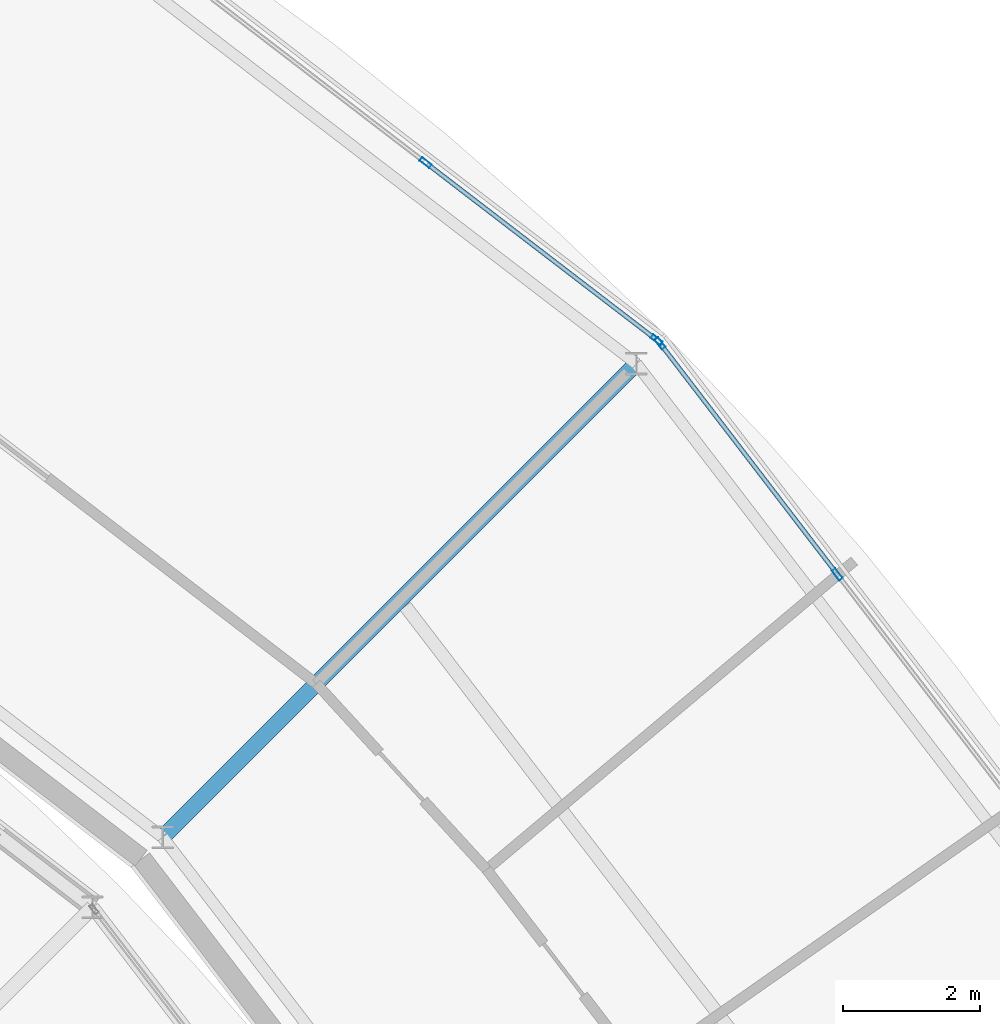
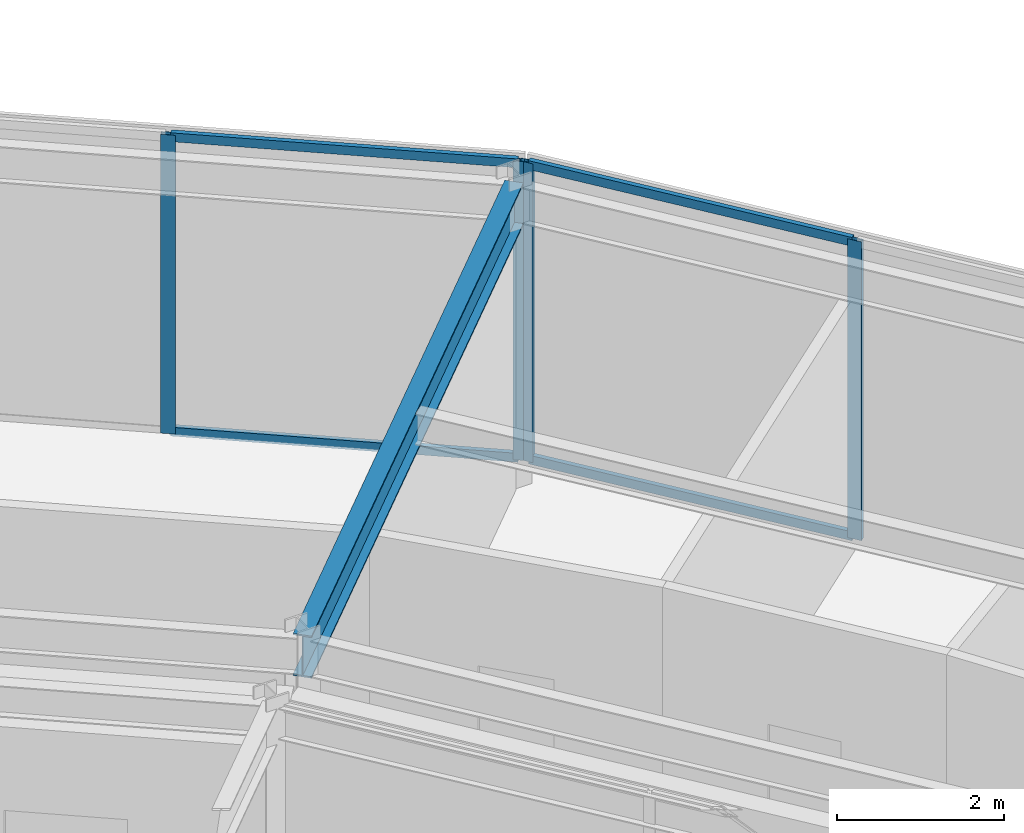
# One storey, part 75 of 133: 8 members, 1 beam, 2 elements without a shape of their own.
"""IFC4 building model written with IfcOpenShell, lengths in metres."""

import ifcopenshell
import ifcopenshell.guid

model = None  # the IFC model being written
_history = None  # IfcOwnerHistory: only IFC2X3 demands one
_inside = {}  # id of a spatial element -> (the spatial element, [elements in it])
_under = {}  # id of a project, library or spatial element -> (it, [spatial elements below it])
_declared = {}  # id of a project -> (the project, [libraries it declares])
_typed = {}  # id of a type object -> (the type object, [elements of that type])
_made_of = {}  # id of a material, layer set ... -> (it, [elements and type objects made of it])


def new_model(schema):
    """Start an empty IFC model of exactly this schema.

    Asked for "IFC4X3", IfcOpenShell would pick the latest addendum, in which some entities
    have other attributes; the version numbers below select the first issue.
    IFC2X3 requires an IfcOwnerHistory on every rooted entity: one is made here for all.
    """
    global model, _history
    if schema == "IFC4X3":
        model = ifcopenshell.file(schema_version=(4, 3, 0, 0))
    else:
        model = ifcopenshell.file(schema=schema)
    _inside.clear()
    _under.clear()
    _declared.clear()
    _typed.clear()
    _made_of.clear()
    _history = None
    if model.schema == "IFC2X3":
        org = make("IfcOrganization", Name="unknown")
        user = make(
            "IfcPersonAndOrganization",
            ThePerson=make("IfcPerson", FamilyName="unknown"),
            TheOrganization=org,
        )
        app = make(
            "IfcApplication",
            ApplicationDeveloper=org,
            Version="unknown",
            ApplicationFullName="unknown",
            ApplicationIdentifier="unknown",
        )
        _history = make(
            "IfcOwnerHistory",
            OwningUser=user,
            OwningApplication=app,
            ChangeAction="ADDED",
            CreationDate=0,
        )
    return model


def make(cls, **values):
    """One entity of the class cls with the attributes given. An attribute that is None is left unset."""
    return model.create_entity(
        cls, **{name: value for name, value in values.items() if value is not None}
    )


def rooted(cls, **values):
    """An entity with a GlobalId (a new one), such as an element, a storey or a relation."""
    return make(cls, GlobalId=ifcopenshell.guid.new(), OwnerHistory=_history, **values)


def si_unit(unit_type, name, prefix=None):
    """IfcSIUnit, for example si_unit("LENGTHUNIT", "METRE", prefix="MILLI")."""
    return make("IfcSIUnit", UnitType=unit_type, Prefix=prefix, Name=name)


def assignment(units):
    """IfcUnitAssignment: the units of a project."""
    return None if units is None else make("IfcUnitAssignment", Units=units)


def point(xyz):
    """IfcCartesianPoint."""
    return None if xyz is None else make("IfcCartesianPoint", Coordinates=xyz)


def direction(xyz):
    """IfcDirection."""
    return None if xyz is None else make("IfcDirection", DirectionRatios=xyz)


def frame(location, z_axis=None, x_axis=None):
    """IfcAxis2Placement3D, a coordinate frame: its origin and axes. An axis left out is left unset."""
    return make(
        "IfcAxis2Placement3D",
        Location=point(location),
        Axis=direction(z_axis),
        RefDirection=direction(x_axis),
    )


def frame_2d(location, x_axis=None):
    """IfcAxis2Placement2D, a coordinate frame in the plane: its origin and x axis."""
    return make(
        "IfcAxis2Placement2D", Location=point(location), RefDirection=direction(x_axis)
    )


def origin():
    """The frame at (0, 0, 0) with its axes left unset."""
    return frame((0.0, 0.0, 0.0))


def origin_2d():
    """The frame at (0, 0) in the plane with its x axis left unset."""
    return frame_2d((0.0, 0.0))


def place(relative_to, where):
    """IfcLocalPlacement: puts the frame where relative to a parent placement (None: the world)."""
    return make(
        "IfcLocalPlacement", PlacementRelTo=relative_to, RelativePlacement=where
    )


def context(
    kind, dimensions, precision=None, world=None, true_north=None, identifier=None
):
    """IfcGeometricRepresentationContext, for example the 3D "Model" context."""
    return make(
        "IfcGeometricRepresentationContext",
        ContextIdentifier=identifier,
        ContextType=kind,
        CoordinateSpaceDimension=dimensions,
        Precision=precision,
        WorldCoordinateSystem=world,
        TrueNorth=true_north,
    )


def subcontext(parent, identifier, kind, view, scale=None):
    """IfcGeometricRepresentationSubContext, for example "Body" below "Model"."""
    return make(
        "IfcGeometricRepresentationSubContext",
        ContextIdentifier=identifier,
        ContextType=kind,
        ParentContext=parent,
        TargetScale=scale,
        TargetView=view,
    )


def project(units=None, contexts=None):
    """IfcProject with its units and contexts."""
    return rooted(
        "IfcProject",
        Name="project",
        RepresentationContexts=contexts,
        UnitsInContext=assignment(units),
    )


def spatial(cls, under=None, at=None, **own):
    """A site, building, storey or space (cls), placed at a placement, below another one or the project."""
    s = rooted(cls, ObjectPlacement=at, **own)
    if under is not None:
        _under.setdefault(under.id(), (under, []))[1].append(s)
    return s


def profile(cls, at=None, kind="AREA", **sizes):
    """A parametric profile (cls). Its sizes go by their IFC names, for example OverallWidth=200.0."""
    return make(cls, ProfileType=kind, Position=at, **sizes)


def hollow_rectangle(**sizes):
    """IfcRectangleHollowProfileDef."""
    return profile("IfcRectangleHollowProfileDef", **sizes)


def i_section(**sizes):
    """IfcIShapeProfileDef."""
    return profile("IfcIShapeProfileDef", **sizes)


def extrude(swept, where, along, depth):
    """IfcExtrudedAreaSolid: the profile swept, set in the frame where, extruded along a direction by depth."""
    return make(
        "IfcExtrudedAreaSolid",
        SweptArea=swept,
        Position=where,
        ExtrudedDirection=direction(along),
        Depth=depth,
    )


def shape(context_of_items, identifier, shape_type, items):
    """IfcShapeRepresentation: the items that make up one representation, for example the "Body"."""
    return make(
        "IfcShapeRepresentation",
        ContextOfItems=context_of_items,
        RepresentationIdentifier=identifier,
        RepresentationType=shape_type,
        Items=items,
    )


def material(Name=None, Category=None):
    """IfcMaterial."""
    return make("IfcMaterial", Name=Name, Category=Category)


def material_profile(
    of_material, cross_section, Name=None, Category=None, Priority=None
):
    """IfcMaterialProfile: a cross section and its material."""
    return make(
        "IfcMaterialProfile",
        Name=Name,
        Material=of_material,
        Profile=cross_section,
        Priority=Priority,
        Category=Category,
    )


def profile_set(profiles, Name=None, composite=None):
    """IfcMaterialProfileSet."""
    return make(
        "IfcMaterialProfileSet",
        Name=Name,
        MaterialProfiles=profiles,
        CompositeProfile=composite,
    )


def made_of(thing, what):
    """Note that an element or type object is made of a material, layer set ...; save() writes the relation."""
    if what is not None:
        _made_of.setdefault(what.id(), (what, []))[1].append(thing)
    return thing


def type_object(cls, material=None, **own):
    """A type object (cls), such as IfcWallType, which elements share."""
    return made_of(rooted(cls, **own), material)


def element(
    cls,
    number,
    at=None,
    inside=None,
    cuts=None,
    type_object=None,
    material=None,
    context=None,
    identifier="Body",
    shape_type=None,
    held_by="IfcProductDefinitionShape",
    body=None,
    shapes=None,
    **own,
):
    """One element of the class cls, such as IfcWall. Its Tag is "e" and its number.

    at: its placement. inside: the storey or other place that contains it. cuts: it is an
    opening in that element (IfcRelVoidsElement). A single representation is given by context,
    identifier, shape_type and body (its items); several are given by shapes. held_by: the class
    of the entity that holds the representations. save() writes the other relations.
    """
    e = rooted(cls, Tag="e%d" % number, ObjectPlacement=at, **own)
    if body is not None:
        shapes = [shape(context, identifier, shape_type, body)]
    if shapes is not None:
        e.Representation = make(held_by, Representations=shapes)
    if inside is not None:
        _inside.setdefault(inside.id(), (inside, []))[1].append(e)
    if cuts is not None:
        rooted(
            "IfcRelVoidsElement", RelatingBuildingElement=cuts, RelatedOpeningElement=e
        )
    if type_object is not None:
        _typed.setdefault(type_object.id(), (type_object, []))[1].append(e)
    return made_of(e, material)


def aggregate(whole, parts):
    """IfcRelAggregates: a whole, such as a stair, and the parts it consists of."""
    return rooted("IfcRelAggregates", RelatingObject=whole, RelatedObjects=parts)


def save(model, path):
    """Write the relations noted so far, then the file.

    IfcRelAggregates (storeys below a building ...), IfcRelContainedInSpatialStructure (elements
    in a storey), IfcRelDefinesByType, IfcRelAssociatesMaterial and IfcRelDeclares: one each for
    every whole, place, type object, material and project.
    """
    for whole, parts in _under.values():
        aggregate(whole, parts)
    for where, things in _inside.values():
        rooted(
            "IfcRelContainedInSpatialStructure",
            RelatedElements=things,
            RelatingStructure=where,
        )
    for kind, things in _typed.values():
        rooted("IfcRelDefinesByType", RelatedObjects=things, RelatingType=kind)
    for what, things in _made_of.values():
        rooted("IfcRelAssociatesMaterial", RelatedObjects=things, RelatingMaterial=what)
    for by, libraries in _declared.values():
        rooted("IfcRelDeclares", RelatingContext=by, RelatedDefinitions=libraries)
    model.write(path)


model = new_model("IFC4")

# Units and contexts
model_context = context("Model", 3, precision=1e-05, world=origin(), true_north=direction((0.0, 1.0)))
body_context = subcontext(model_context, "Body", "Model", "MODEL_VIEW")
ifc_project = project(units=[si_unit("LENGTHUNIT", "METRE"), si_unit("AREAUNIT", "SQUARE_METRE"), si_unit("VOLUMEUNIT", "CUBIC_METRE"), si_unit("PLANEANGLEUNIT", "RADIAN"), si_unit("MASSUNIT", "GRAM", prefix="KILO")], contexts=[model_context])

# Site, building, storey
site_placement = place(None, origin())
site = spatial("IfcSite", under=ifc_project, at=site_placement, CompositionType="ELEMENT")
building_placement = place(site_placement, origin())
building = spatial("IfcBuilding", under=site, at=building_placement, Name="Almandine Court Research Institute", CompositionType="ELEMENT")
storey_placement = place(building_placement, frame((0.0, 0.0, 9.800048828125)))
storey = spatial("IfcBuildingStorey", under=building, at=storey_placement, Name="L02", CompositionType="ELEMENT", Elevation=9.800048828125)

# Beam
ifc_material_1 = material(Name="Steel ASTM A992 Grade 50", Category="steel")
ifc_material_profile_1 = material_profile(ifc_material_1, i_section(OverallWidth=0.22998046875, OverallDepth=0.616943359375, WebThickness=0.012939453125, FlangeThickness=0.02197265625, at=origin_2d()), Name="W610x140")
ifc_profile_set_1 = profile_set([ifc_material_profile_1], Name="Steel ASTM A992 Grade 50")
beam_type = type_object("IfcBeamType", Name="Beam-G-02", PredefinedType="BEAM", material=ifc_profile_set_1)
beam_placement = place(storey_placement, frame((114.64794921875, 83.64794921875, 4.06103515625), z_axis=(0.707106781187, 0.707106781187, 0.0), x_axis=(-0.707106781187, 0.707106781187, 0.0)))
element("IfcBeam", 1, at=beam_placement, inside=storey, type_object=beam_type, Name="L02 Drum Radial Girder 03", PredefinedType="BEAM", context=body_context, shape_type="SweptSolid", body=[
    extrude(i_section(OverallWidth=0.22998046875, OverallDepth=0.616943359375, WebThickness=0.012939453125, FlangeThickness=0.02197265625, at=origin_2d()), origin(), (0.0, 0.0, 1.0), 9.80029296875),
])

# Curtain wall, members
ifc_material_2 = material(Name="Unitised Curtain Wall Framing and Solar Glazing", Category="glass")
curtain_wall_type = type_object("IfcCurtainWallType", Name="CW-CWJ-19", PredefinedType="USERDEFINED", material=ifc_material_2)
curtain_wall_1_placement = place(storey_placement, origin())
curtain_wall_1 = element("IfcCurtainWall", 2, at=curtain_wall_1_placement, inside=storey, type_object=curtain_wall_type, Name="L02 Stacked-Ring Drum Outer Solar Jali Screen 02", ObjectType="SOLAR JALI SCREEN", PredefinedType="USERDEFINED")
ifc_material_3 = material(Name="Anodised Aluminium AW-6063-T6", Category="aluminium")
ifc_material_profile_2 = material_profile(ifc_material_3, hollow_rectangle(XDim=0.06494140625, YDim=0.179931640625, WallThickness=0.00390625, at=origin_2d()), Name="ALU RHS 65x180x4")
ifc_profile_set_2 = profile_set([ifc_material_profile_2], Name="Anodised Aluminium AW-6063-T6")
member_type_1 = type_object("IfcMemberType", Name="CWMul-65x180", PredefinedType="MULLION", material=ifc_profile_set_2)
member_1_placement = place(storey_placement, frame((121.92578125, 90.874267578125, 0.0), z_axis=(0.0, 0.0, 1.0), x_axis=(0.793382586046, 0.608723313303, 0.0)))
member_1 = element("IfcMember", 3, at=member_1_placement, type_object=member_type_1, Name="CWJ-19 mullion 1", PredefinedType="MULLION", context=body_context, shape_type="SweptSolid", body=[
    extrude(hollow_rectangle(XDim=0.06494140625, YDim=0.179931640625, WallThickness=0.00390625, at=origin_2d()), origin(), (0.0, 0.0, 1.0), 4.369873046875),
])
member_2_placement = place(storey_placement, frame((124.51904296875, 87.494384765625, 0.0), z_axis=(0.0, 0.0, 1.0), x_axis=(0.793382586046, 0.608723313303, 0.0)))
member_2 = element("IfcMember", 4, at=member_2_placement, type_object=member_type_1, Name="CWJ-19 mullion 2", PredefinedType="MULLION", context=body_context, shape_type="SweptSolid", body=[
    extrude(hollow_rectangle(XDim=0.06494140625, YDim=0.179931640625, WallThickness=0.00390625, at=origin_2d()), origin(), (0.0, 0.0, 1.0), 4.369873046875),
])

curtain_wall_2_placement = place(storey_placement, origin())
curtain_wall_2 = element("IfcCurtainWall", 5, at=curtain_wall_2_placement, inside=storey, type_object=curtain_wall_type, Name="L02 Stacked-Ring Drum Outer Solar Jali Screen 03", ObjectType="SOLAR JALI SCREEN", PredefinedType="USERDEFINED")
member_3_placement = place(storey_placement, frame((118.494384765625, 93.51904296875, 0.0), z_axis=(0.0, 0.0, 1.0), x_axis=(0.608723313303, 0.793382586046, 0.0)))
member_3 = element("IfcMember", 6, at=member_3_placement, type_object=member_type_1, Name="CWJ-19 mullion 3", PredefinedType="MULLION", context=body_context, shape_type="SweptSolid", body=[
    extrude(hollow_rectangle(XDim=0.06494140625, YDim=0.179931640625, WallThickness=0.00390625, at=origin_2d()), origin(), (0.0, 0.0, 1.0), 4.369873046875),
])
member_4_placement = place(storey_placement, frame((121.874267578125, 90.92578125, 0.0), z_axis=(0.0, 0.0, 1.0), x_axis=(0.608723313303, 0.793382586046, 0.0)))
member_4 = element("IfcMember", 7, at=member_4_placement, type_object=member_type_1, Name="CWJ-19 mullion 4", PredefinedType="MULLION", context=body_context, shape_type="SweptSolid", body=[
    extrude(hollow_rectangle(XDim=0.06494140625, YDim=0.179931640625, WallThickness=0.00390625, at=origin_2d()), origin(), (0.0, 0.0, 1.0), 4.369873046875),
])

# Member
ifc_material_profile_3 = material_profile(ifc_material_3, hollow_rectangle(XDim=0.06494140625, YDim=0.1298828125, WallThickness=0.00390625, at=origin_2d()), Name="ALU RHS 65x130x4")
ifc_profile_set_3 = profile_set([ifc_material_profile_3], Name="Anodised Aluminium AW-6063-T6")
member_type_2 = type_object("IfcMemberType", Name="CWTrn-65x130", PredefinedType="NOTDEFINED", material=ifc_profile_set_3)
member_5_placement = place(storey_placement, frame((121.945556640625, 90.848388671875, 0.032470703125), z_axis=(0.608725941364, -0.793380569658, 0.0), x_axis=(0.793380569658, 0.608725941364, 0.0)))
member_5 = element("IfcMember", 8, at=member_5_placement, type_object=member_type_2, Name="CWJ-19 transom 1.1", ObjectType="TRANSOM", PredefinedType="USERDEFINED", context=body_context, shape_type="SweptSolid", body=[
    extrude(hollow_rectangle(XDim=0.06494140625, YDim=0.1298828125, WallThickness=0.00390625, at=origin_2d()), origin(), (0.0, 0.0, 1.0), 4.195068359375),
])

member_6_placement = place(storey_placement, frame((121.945556640625, 90.848388671875, 4.33740234375), z_axis=(0.608725941364, -0.793380569658, 0.0), x_axis=(0.793380569658, 0.608725941364, 0.0)))
member_6 = element("IfcMember", 9, at=member_6_placement, type_object=member_type_2, Name="CWJ-19 transom 1.2", ObjectType="TRANSOM", PredefinedType="USERDEFINED", context=body_context, shape_type="SweptSolid", body=[
    extrude(hollow_rectangle(XDim=0.06494140625, YDim=0.1298828125, WallThickness=0.00390625, at=origin_2d()), origin(), (0.0, 0.0, 1.0), 4.195068359375),
])

aggregate(curtain_wall_1, [member_1, member_2, member_5, member_6])

member_7_placement = place(storey_placement, frame((118.52001953125, 93.499267578125, 0.032470703125), z_axis=(0.793380569658, -0.608725941364, 0.0), x_axis=(0.608725941364, 0.793380569658, 0.0)))
member_7 = element("IfcMember", 10, at=member_7_placement, type_object=member_type_2, Name="CWJ-19 transom 3.1", ObjectType="TRANSOM", PredefinedType="USERDEFINED", context=body_context, shape_type="SweptSolid", body=[
    extrude(hollow_rectangle(XDim=0.06494140625, YDim=0.1298828125, WallThickness=0.00390625, at=origin_2d()), origin(), (0.0, 0.0, 1.0), 4.195068359375),
])

member_8_placement = place(storey_placement, frame((118.52001953125, 93.499267578125, 4.33740234375), z_axis=(0.793380569658, -0.608725941364, 0.0), x_axis=(0.608725941364, 0.793380569658, 0.0)))
member_8 = element("IfcMember", 11, at=member_8_placement, type_object=member_type_2, Name="CWJ-19 transom 3.2", ObjectType="TRANSOM", PredefinedType="USERDEFINED", context=body_context, shape_type="SweptSolid", body=[
    extrude(hollow_rectangle(XDim=0.06494140625, YDim=0.1298828125, WallThickness=0.00390625, at=origin_2d()), origin(), (0.0, 0.0, 1.0), 4.195068359375),
])

aggregate(curtain_wall_2, [member_3, member_4, member_7, member_8])

save(model, "model.ifc")
